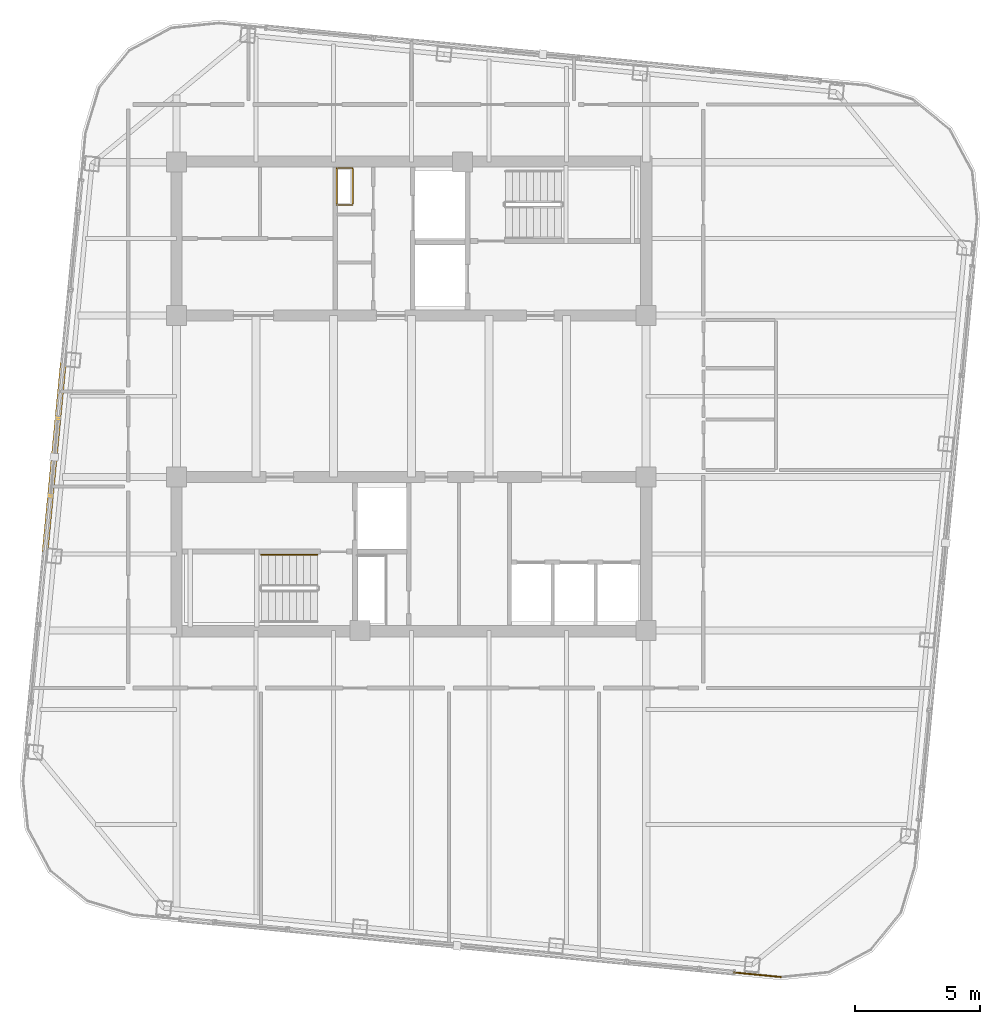
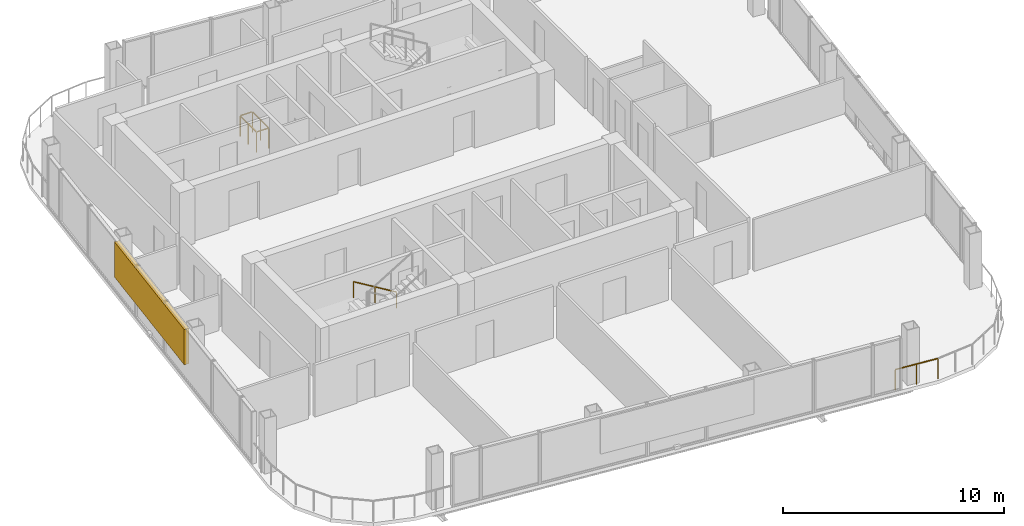
# One storey, part 21 of 23: 3 railings, 1 shading device.
"""IFC4 building model written with IfcOpenShell, lengths in metres."""

from ifc_helpers import new_model, si_unit, direction, frame, origin, origin_2d, place, context, subcontext, project, spatial, rectangle, extrude, material, type_object, element, save


model = new_model("IFC4")

# Units and contexts
model_context = context("Model", 3, precision=1e-05, world=origin(), true_north=direction((0.0, 1.0)))
body_context = subcontext(model_context, "Body", "Model", "MODEL_VIEW")
ifc_project = project(units=[si_unit("LENGTHUNIT", "METRE"), si_unit("AREAUNIT", "SQUARE_METRE"), si_unit("VOLUMEUNIT", "CUBIC_METRE"), si_unit("PLANEANGLEUNIT", "RADIAN"), si_unit("MASSUNIT", "GRAM", prefix="KILO")], contexts=[model_context])

# Site, building, storey
site_placement = place(None, origin())
site = spatial("IfcSite", under=ifc_project, at=site_placement, CompositionType="ELEMENT")
building_placement = place(site_placement, origin())
building = spatial("IfcBuilding", under=site, at=building_placement, Name="Qhalaya Broadcast Tower", CompositionType="ELEMENT")
storey_placement = place(building_placement, frame((0.0, 0.0, 261.14990234375)))
storey = spatial("IfcBuildingStorey", under=building, at=storey_placement, Name="L77", CompositionType="ELEMENT", Elevation=261.14990234375)

# Railings
ifc_material_1 = material(Name="Powder-Coated Galvanised Steel", Category="steel")
railing_type_1 = type_object("IfcRailingType", Name="Stair Wall Handrail 900", PredefinedType="HANDRAIL", material=ifc_material_1)
railing_1_placement = place(storey_placement, frame((-3.75, -5.72998046875, 0.16943359375)))
element("IfcRailing", 1, at=railing_1_placement, inside=storey, type_object=railing_type_1, Name="L77 ST-2 Stair Handrail 1", PredefinedType="HANDRAIL", context=body_context, shape_type="SweptSolid", body=[
    extrude(rectangle(XDim=0.048095703125, YDim=0.048095703125, at=origin_2d()), frame((0.0, 0.0, 0.8759765625), z_axis=(-0.855512035549, 0.0, 0.517782924622), x_axis=(0.0, -1.0, 0.0)), (0.0, 0.0, 1.0), 2.618408203125),
    extrude(rectangle(XDim=0.0419921875, YDim=0.0419921875, at=origin_2d()), origin(), (0.0, 0.0, 1.0), 0.849853515625),
    extrude(rectangle(XDim=0.0419921875, YDim=0.0419921875, at=origin_2d()), frame((-1.1201171875, 0.0, 0.677734375)), (0.0, 0.0, 1.0), 0.849853515625),
    extrude(rectangle(XDim=0.0419921875, YDim=0.0419921875, at=origin_2d()), frame((-2.239990234375, 0.0, 1.355712890625)), (0.0, 0.0, 1.0), 0.849853515625),
])
railing_type_2 = type_object("IfcRailingType", Name="Stair Well & Landing Guardrail 1100", PredefinedType="GUARDRAIL", material=ifc_material_1)
railing_2_placement = place(storey_placement, frame((-2.340087890625, 8.239990234375, 0.0)))
element("IfcRailing", 2, at=railing_2_placement, inside=storey, type_object=railing_type_2, Name="L77 Service Riser Opening Safety Guard NRSR", PredefinedType="GUARDRAIL", context=body_context, shape_type="SweptSolid", body=[
    extrude(rectangle(XDim=0.048095703125, YDim=0.048095703125, at=origin_2d()), frame((0.0, 0.02880859375, 1.1259765625), z_axis=(0.0, 1.0, 0.0), x_axis=(-1.0, 0.0, 0.0)), (0.0, 0.0, 1.0), 1.42236328125),
    extrude(rectangle(XDim=0.048095703125, YDim=0.048095703125, at=origin_2d()), frame((-0.02880859375, 1.47998046875, 1.1259765625), z_axis=(-1.0, 0.0, 0.0), x_axis=(0.0, -1.0, 0.0)), (0.0, 0.0, 1.0), 0.582275390625),
    extrude(rectangle(XDim=0.048095703125, YDim=0.048095703125, at=origin_2d()), frame((-0.639892578125, 1.451171875, 1.1259765625), z_axis=(0.0, -1.0, 0.0), x_axis=(1.0, 0.0, 0.0)), (0.0, 0.0, 1.0), 1.42236328125),
    extrude(rectangle(XDim=0.048095703125, YDim=0.048095703125, at=origin_2d()), frame((-0.611083984375, 0.0, 1.1259765625), z_axis=(1.0, 0.0, 0.0), x_axis=(0.0, 1.0, 0.0)), (0.0, 0.0, 1.0), 0.582275390625),
    extrude(rectangle(XDim=0.0419921875, YDim=0.0419921875, at=origin_2d()), origin(), (0.0, 0.0, 1.0), 1.099853515625),
    extrude(rectangle(XDim=0.0419921875, YDim=0.0419921875, at=origin_2d()), frame((0.0, 0.739990234375, 0.0)), (0.0, 0.0, 1.0), 1.099853515625),
    extrude(rectangle(XDim=0.0419921875, YDim=0.0419921875, at=origin_2d()), frame((0.0, 1.47998046875, 0.0)), (0.0, 0.0, 1.0), 1.099853515625),
    extrude(rectangle(XDim=0.0419921875, YDim=0.0419921875, at=origin_2d()), frame((-0.639892578125, 1.47998046875, 0.0)), (0.0, 0.0, 1.0), 1.099853515625),
    extrude(rectangle(XDim=0.0419921875, YDim=0.0419921875, at=origin_2d()), frame((-0.639892578125, 0.739990234375, 0.0)), (0.0, 0.0, 1.0), 1.099853515625),
    extrude(rectangle(XDim=0.0419921875, YDim=0.0419921875, at=origin_2d()), frame((-0.639892578125, 0.0, 0.0)), (0.0, 0.0, 1.0), 1.099853515625),
])
railing_type_3 = type_object("IfcRailingType", Name="Terrace, Sky-Pool & Lookout Glass Balustrade 1150", PredefinedType="BALUSTRADE", material=ifc_material_1)
railing_3_placement = place(storey_placement, frame((14.754638671875, -22.58251953125, 0.0)))
element("IfcRailing", 3, at=railing_3_placement, inside=storey, type_object=railing_type_3, Name="L77 Rounded Corner Perimeter Guard 01", PredefinedType="BALUSTRADE", context=body_context, shape_type="SweptSolid", body=[
    extrude(rectangle(XDim=0.048095703125, YDim=0.048095703125, at=origin_2d()), frame((0.0, 0.0, 1.1259765625), z_axis=(-0.995391273094, 0.095896889673, 0.0), x_axis=(-0.095896889673, -0.995391273094, 0.0)), (0.0, 0.0, 1.0), 2.1181640625),
    extrude(rectangle(XDim=0.0419921875, YDim=0.0419921875, at=origin_2d()), origin(), (0.0, 0.0, 1.0), 1.099853515625),
    extrude(rectangle(XDim=0.0419921875, YDim=0.0419921875, at=origin_2d()), frame((-1.05419921875, 0.1015625, 0.0)), (0.0, 0.0, 1.0), 1.099853515625),
    extrude(rectangle(XDim=0.0419921875, YDim=0.0419921875, at=origin_2d()), frame((-2.1083984375, 0.203125, 0.0)), (0.0, 0.0, 1.0), 1.099853515625),
])

# Shading device
ifc_material_2 = material(Name="Fired Architectural Terracotta", Category="masonry")
shading_device_type = type_object("IfcShadingDeviceType", Name="Terracotta Baguette Solar Screen Assembly TBS-01", PredefinedType="USERDEFINED", material=ifc_material_2)
shading_device_placement = place(storey_placement, frame((-14.2578125, -1.826171875, 0.80078125), z_axis=(0.0, 0.0, 1.0), x_axis=(-0.09584575252, -0.995396198367, 0.0)))
element("IfcShadingDevice", 4, at=shading_device_placement, inside=storey, type_object=shading_device_type, Name="L77 Fired Terracotta Baguette Screen W", ObjectType="BAGUETTE", PredefinedType="USERDEFINED", context=body_context, shape_type="SweptSolid", body=[
    extrude(rectangle(XDim=7.60009765625, YDim=0.239990234375, at=origin_2d()), origin(), (0.0, 0.0, 1.0), 1.945068359375),
])

save(model, "model.ifc")
